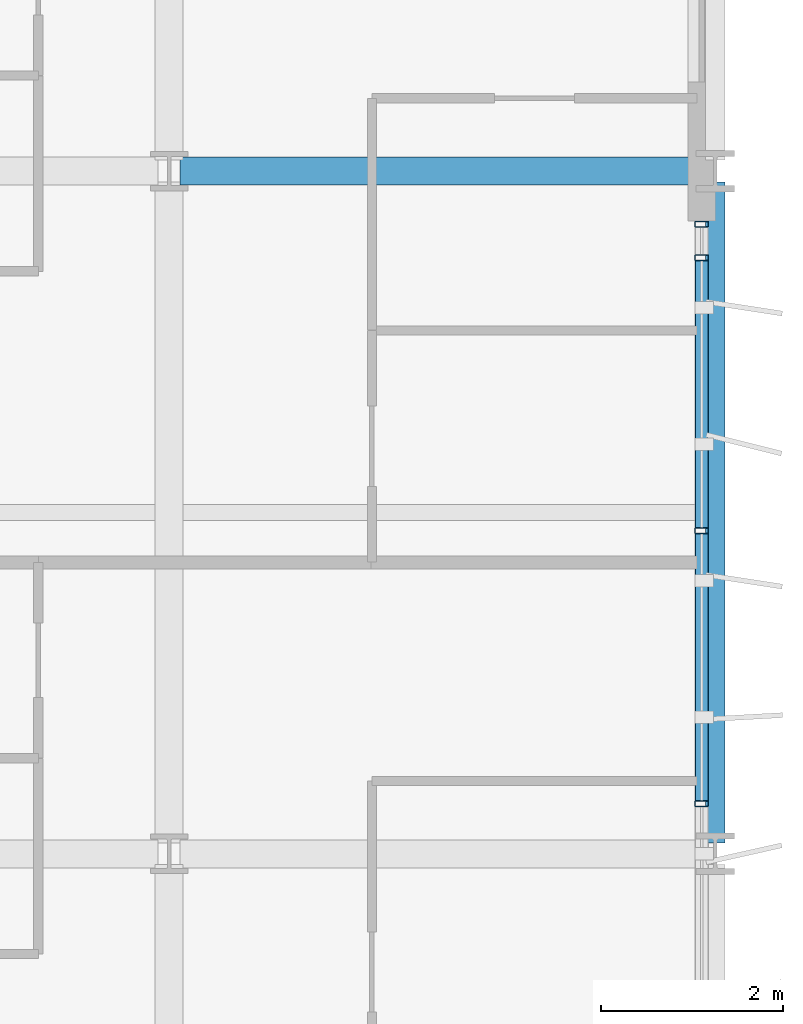
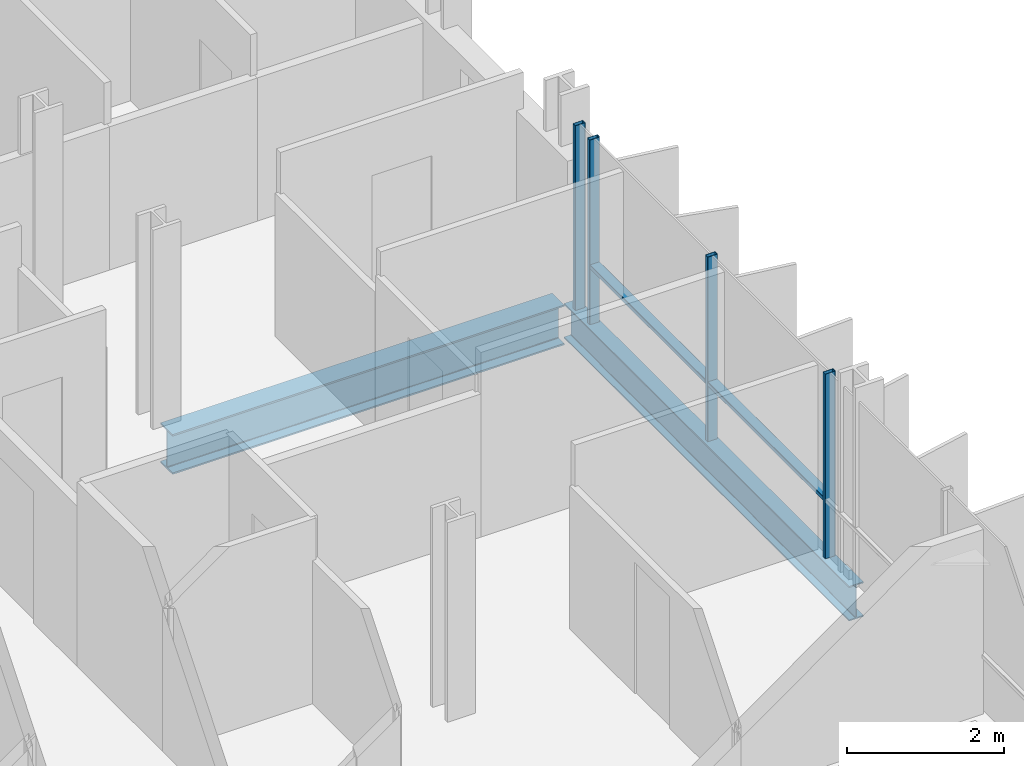
# One storey, part 19 of 39: 6 members, 2 beams, 1 element without a shape of its own.
"""IFC4 building model written with IfcOpenShell, lengths in metres."""

from ifc_helpers import new_model, si_unit, direction, frame, origin, origin_2d, place, context, subcontext, project, spatial, hollow_rectangle, i_section, extrude, material, layer, layer_set, material_profile, profile_set, type_object, element, aggregate, save


model = new_model("IFC4")

# Units and contexts
model_context = context("Model", 3, precision=1e-05, world=origin(), true_north=direction((0.0, 1.0)))
body_context = subcontext(model_context, "Body", "Model", "MODEL_VIEW")
ifc_project = project(units=[si_unit("LENGTHUNIT", "METRE"), si_unit("AREAUNIT", "SQUARE_METRE"), si_unit("VOLUMEUNIT", "CUBIC_METRE"), si_unit("PLANEANGLEUNIT", "RADIAN"), si_unit("MASSUNIT", "GRAM", prefix="KILO")], contexts=[model_context])

# Site, building, storey
site_placement = place(None, origin())
site = spatial("IfcSite", under=ifc_project, at=site_placement, CompositionType="ELEMENT")
building_placement = place(site_placement, origin())
building = spatial("IfcBuilding", under=site, at=building_placement, Name="Brevholm Reach", CompositionType="ELEMENT")
storey_placement = place(building_placement, frame((0.0, 0.0, 83.800048828125)))
storey = spatial("IfcBuildingStorey", under=building, at=storey_placement, Name="L24", CompositionType="ELEMENT", Elevation=83.800048828125)

# Beams
ifc_material_1 = material(Name="Structural Steel S355J2", Category="steel")
ifc_material_profile_1 = material_profile(ifc_material_1, i_section(OverallWidth=0.210693359375, OverallDepth=0.53955078125, WebThickness=0.01171875, FlangeThickness=0.018798828125, FilletRadius=0.0126953125, at=origin_2d()), Name="UKB 533x210x109")
ifc_profile_set_1 = profile_set([ifc_material_profile_1], Name="Structural Steel S355J2")
beam_type_1 = type_object("IfcBeamType", Name="BM-SP539", PredefinedType="SPANDREL", material=ifc_profile_set_1)
beam_1_placement = place(storey_placement, frame((60.0, 16.1201171875, -0.499755859375), z_axis=(0.0, 1.0, 0.0), x_axis=(-1.0, 0.0, 0.0)))
element("IfcBeam", 1, at=beam_1_placement, inside=storey, type_object=beam_type_1, Name="L24 SP-01B Framing Beam", PredefinedType="SPANDREL", context=body_context, shape_type="SweptSolid", body=[
    extrude(i_section(OverallWidth=0.210693359375, OverallDepth=0.53955078125, WebThickness=0.01171875, FlangeThickness=0.018798828125, FilletRadius=0.0126953125, at=origin_2d()), origin(), (0.0, 0.0, 1.0), 7.259765625),
])
ifc_material_2 = material(Name="Structural Steel S355J2", Category="steel")
ifc_material_profile_2 = material_profile(ifc_material_2, i_section(OverallWidth=0.30712890625, OverallDepth=0.6201171875, WebThickness=0.01416015625, FlangeThickness=0.023681640625, FilletRadius=0.0166015625, at=origin_2d()), Name="UKB 610x305x179")
ifc_profile_set_2 = profile_set([ifc_material_profile_2], Name="Structural Steel S355J2")
beam_type_2 = type_object("IfcBeamType", Name="BM-UKB610H", PredefinedType="USERDEFINED", material=ifc_profile_set_2)
beam_2_placement = place(storey_placement, frame((54.1201171875, 23.5, -0.5400390625), z_axis=(1.0, 0.0, 0.0), x_axis=(0.0, 1.0, 0.0)))
element("IfcBeam", 2, at=beam_2_placement, inside=storey, type_object=beam_type_2, Name="L24 G-06 Framing Beam", ObjectType="GIRDER", PredefinedType="USERDEFINED", context=body_context, shape_type="SweptSolid", body=[
    extrude(i_section(OverallWidth=0.30712890625, OverallDepth=0.6201171875, WebThickness=0.01416015625, FlangeThickness=0.023681640625, FilletRadius=0.0166015625, at=origin_2d()), origin(), (0.0, 0.0, 1.0), 5.759765625),
])

# Curtain wall, members
ifc_material_3 = material(Name="Dark Anodised Aluminium 6063-T6 and Solar-Control Glass", Category="aluminium")
ifc_layer = layer(ifc_material_3, 0.14990234375)
ifc_layer_set = layer_set([ifc_layer], Name="Dark Anodised Aluminium 6063-T6 and Solar-Control Glass")
curtain_wall_type = type_object("IfcCurtainWallType", Name="CW-01", PredefinedType="NOTDEFINED", material=ifc_layer_set)
curtain_wall_placement = place(storey_placement, origin())
curtain_wall = element("IfcCurtainWall", 3, at=curtain_wall_placement, inside=storey, type_object=curtain_wall_type, Name="L24 Curtain Wall CW-01", PredefinedType="NOTDEFINED")
ifc_material_4 = material(Name="Dark Anodised Aluminium 6063-T6", Category="aluminium")
ifc_material_profile_3 = material_profile(ifc_material_4, hollow_rectangle(XDim=0.06494140625, YDim=0.14990234375, WallThickness=0.0048828125, InnerFilletRadius=0.0048828125, OuterFilletRadius=0.010009765625, at=origin_2d()), Name="RHS 150x65x5")
ifc_profile_set_3 = profile_set([ifc_material_profile_3], Name="Dark Anodised Aluminium 6063-T6")
member_type_1 = type_object("IfcMemberType", Name="CWM-150", PredefinedType="MULLION", material=ifc_profile_set_3)
member_1_placement = place(storey_placement, frame((59.85009765625, 16.550048828125, 0.0), z_axis=(0.0, 0.0, 1.0), x_axis=(0.0, 1.0, 0.0)))
member_1 = element("IfcMember", 4, at=member_1_placement, type_object=member_type_1, Name="CM-150 Mullion 3", PredefinedType="MULLION", context=body_context, shape_type="SweptSolid", body=[
    extrude(hollow_rectangle(XDim=0.06494140625, YDim=0.14990234375, WallThickness=0.0048828125, InnerFilletRadius=0.0048828125, OuterFilletRadius=0.010009765625, at=origin_2d()), origin(), (0.0, 0.0, 1.0), 2.869873046875),
])
member_2_placement = place(storey_placement, frame((59.85009765625, 19.550048828125, 0.0), z_axis=(0.0, 0.0, 1.0), x_axis=(0.0, 1.0, 0.0)))
member_2 = element("IfcMember", 5, at=member_2_placement, type_object=member_type_1, Name="CM-150 Mullion 4", PredefinedType="MULLION", context=body_context, shape_type="SweptSolid", body=[
    extrude(hollow_rectangle(XDim=0.06494140625, YDim=0.14990234375, WallThickness=0.0048828125, InnerFilletRadius=0.0048828125, OuterFilletRadius=0.010009765625, at=origin_2d()), origin(), (0.0, 0.0, 1.0), 2.869873046875),
])
member_3_placement = place(storey_placement, frame((59.85009765625, 22.550048828125, 0.0), z_axis=(0.0, 0.0, 1.0), x_axis=(0.0, 1.0, 0.0)))
member_3 = element("IfcMember", 6, at=member_3_placement, type_object=member_type_1, Name="CM-150 Mullion 5", PredefinedType="MULLION", context=body_context, shape_type="SweptSolid", body=[
    extrude(hollow_rectangle(XDim=0.06494140625, YDim=0.14990234375, WallThickness=0.0048828125, InnerFilletRadius=0.0048828125, OuterFilletRadius=0.010009765625, at=origin_2d()), origin(), (0.0, 0.0, 1.0), 2.869873046875),
])
member_4_placement = place(storey_placement, frame((59.85009765625, 22.91748046875, 0.0), z_axis=(0.0, 0.0, 1.0), x_axis=(0.0, 1.0, 0.0)))
member_4 = element("IfcMember", 7, at=member_4_placement, type_object=member_type_1, Name="CM-150 Mullion 6", PredefinedType="MULLION", context=body_context, shape_type="SweptSolid", body=[
    extrude(hollow_rectangle(XDim=0.06494140625, YDim=0.14990234375, WallThickness=0.0048828125, InnerFilletRadius=0.0048828125, OuterFilletRadius=0.010009765625, at=origin_2d()), origin(), (0.0, 0.0, 1.0), 2.869873046875),
])
ifc_material_5 = material(Name="Dark Anodised Aluminium 6063-T6", Category="aluminium")
ifc_material_profile_4 = material_profile(ifc_material_5, hollow_rectangle(XDim=0.06494140625, YDim=0.14990234375, WallThickness=0.0048828125, InnerFilletRadius=0.0048828125, OuterFilletRadius=0.010009765625, at=origin_2d()), Name="RHS 150x65x5")
ifc_profile_set_4 = profile_set([ifc_material_profile_4], Name="Dark Anodised Aluminium 6063-T6")
member_type_2 = type_object("IfcMemberType", Name="CWT-150", PredefinedType="NOTDEFINED", material=ifc_profile_set_4)
member_5_placement = place(storey_placement, frame((59.85009765625, 16.58251953125, 0.89990234375), z_axis=(0.0, 1.0, 0.0), x_axis=(0.0, 0.0, 1.0)))
member_5 = element("IfcMember", 8, at=member_5_placement, type_object=member_type_2, Name="CT-150 Transom 3.1", ObjectType="TRANSOM", PredefinedType="USERDEFINED", context=body_context, shape_type="SweptSolid", body=[
    extrude(hollow_rectangle(XDim=0.06494140625, YDim=0.14990234375, WallThickness=0.0048828125, InnerFilletRadius=0.0048828125, OuterFilletRadius=0.010009765625, at=origin_2d()), origin(), (0.0, 0.0, 1.0), 2.93505859375),
])
member_6_placement = place(storey_placement, frame((59.85009765625, 19.58251953125, 0.89990234375), z_axis=(0.0, 1.0, 0.0), x_axis=(0.0, 0.0, 1.0)))
member_6 = element("IfcMember", 9, at=member_6_placement, type_object=member_type_2, Name="CT-150 Transom 4.1", ObjectType="TRANSOM", PredefinedType="USERDEFINED", context=body_context, shape_type="SweptSolid", body=[
    extrude(hollow_rectangle(XDim=0.06494140625, YDim=0.14990234375, WallThickness=0.0048828125, InnerFilletRadius=0.0048828125, OuterFilletRadius=0.010009765625, at=origin_2d()), origin(), (0.0, 0.0, 1.0), 2.93505859375),
])
aggregate(curtain_wall, [member_1, member_2, member_3, member_4, member_5, member_6])

save(model, "model.ifc")
